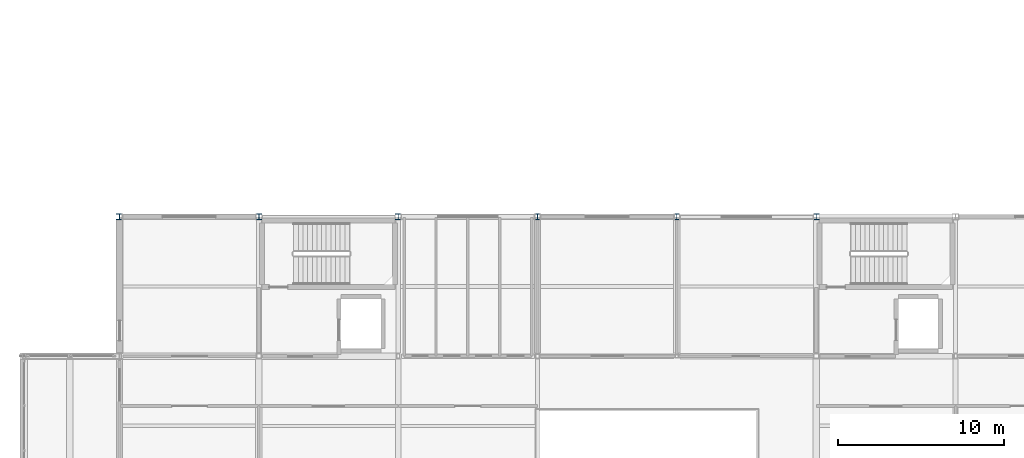
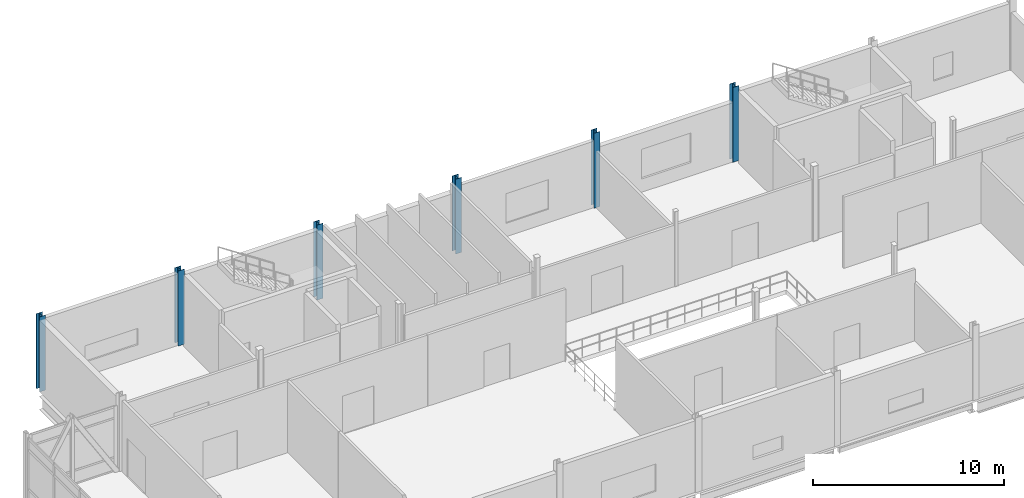
# One storey, part 3 of 45: 6 columns.
"""IFC4 building model written with IfcOpenShell, lengths in metres."""

from ifc_helpers import new_model, si_unit, direction, frame, origin, origin_2d, place, context, subcontext, project, spatial, i_section, extrude, material, material_profile, profile_set, type_object, element, save


model = new_model("IFC4")

# Units and contexts
model_context = context("Model", 3, precision=1e-05, world=origin(), true_north=direction((0.0, 1.0)))
body_context = subcontext(model_context, "Body", "Model", "MODEL_VIEW")
ifc_project = project(units=[si_unit("LENGTHUNIT", "METRE"), si_unit("AREAUNIT", "SQUARE_METRE"), si_unit("VOLUMEUNIT", "CUBIC_METRE"), si_unit("PLANEANGLEUNIT", "RADIAN"), si_unit("MASSUNIT", "GRAM", prefix="KILO")], contexts=[model_context])

# Site, building, storey
site_placement = place(None, origin())
site = spatial("IfcSite", under=ifc_project, at=site_placement, CompositionType="ELEMENT")
building_placement = place(site_placement, origin())
building = spatial("IfcBuilding", under=site, at=building_placement, Name="Calvrana Isthmian Art Gallery", CompositionType="ELEMENT")
storey_placement = place(building_placement, frame((0.0, 0.0, 19.800048828125)))
storey = spatial("IfcBuildingStorey", under=building, at=storey_placement, Name="L04", CompositionType="ELEMENT", Elevation=19.800048828125)

# Columns
ifc_material = material(Name="Steel ASTM A992 Gr 50", Category="steel")
ifc_material_profile_1 = material_profile(ifc_material, i_section(OverallWidth=0.37109375, OverallDepth=0.363037109375, WebThickness=0.01318359375, FlangeThickness=0.021728515625, FilletRadius=0.02490234375, at=origin_2d()), Name="W14X109")
ifc_profile_set_1 = profile_set([ifc_material_profile_1], Name="Steel ASTM A992 Gr 50")
column_type_1 = type_object("IfcColumnType", Name="COL-STL-W14X109", PredefinedType="COLUMN", material=ifc_profile_set_1)
column_1_placement = place(storey_placement, frame((46.800048828125, 46.800048828125, 0.0), z_axis=(0.0, 0.0, 1.0), x_axis=(1.0, 0.0, 0.0)))
element("IfcColumn", 1, at=column_1_placement, inside=storey, type_object=column_type_1, Name="Column 07/G L04", PredefinedType="COLUMN", context=body_context, shape_type="SweptSolid", body=[
    extrude(i_section(OverallWidth=0.37109375, OverallDepth=0.363037109375, WebThickness=0.01318359375, FlangeThickness=0.021728515625, FilletRadius=0.02490234375, at=origin_2d()), origin(), (0.0, 0.0, 1.0), 4.800048828125),
])
ifc_material_profile_2 = material_profile(ifc_material, i_section(OverallWidth=0.373046875, OverallDepth=0.367919921875, WebThickness=0.014892578125, FlangeThickness=0.02392578125, FilletRadius=0.02490234375, at=origin_2d()), Name="W14X120")
ifc_profile_set_2 = profile_set([ifc_material_profile_2], Name="Steel ASTM A992 Gr 50")
column_type_2 = type_object("IfcColumnType", Name="COL-STL-W14X120", PredefinedType="COLUMN", material=ifc_profile_set_2)
column_2_placement = place(storey_placement, frame((38.39990234375, 46.800048828125, 0.0), z_axis=(0.0, 0.0, 1.0), x_axis=(1.0, 0.0, 0.0)))
element("IfcColumn", 2, at=column_2_placement, inside=storey, type_object=column_type_2, Name="Column 06/G L04", PredefinedType="COLUMN", context=body_context, shape_type="SweptSolid", body=[
    extrude(i_section(OverallWidth=0.373046875, OverallDepth=0.367919921875, WebThickness=0.014892578125, FlangeThickness=0.02392578125, FilletRadius=0.02490234375, at=origin_2d()), origin(), (0.0, 0.0, 1.0), 4.800048828125),
])
ifc_material_profile_3 = material_profile(ifc_material, i_section(OverallWidth=0.373046875, OverallDepth=0.373046875, WebThickness=0.016357421875, FlangeThickness=0.026123046875, FilletRadius=0.02490234375, at=origin_2d()), Name="W14X132")
ifc_profile_set_3 = profile_set([ifc_material_profile_3], Name="Steel ASTM A992 Gr 50")
column_type_3 = type_object("IfcColumnType", Name="COL-STL-W14X132", PredefinedType="COLUMN", material=ifc_profile_set_3)
for number, where, z_axis, x_axis, name in (
    (3, (30.0, 46.800048828125, 0.0), (0.0, 0.0, 1.0), (1.0, 0.0, 0.0), "Column 05/G L04"),
    (4, (63.60009765625, 46.800048828125, 0.0), (0.0, 0.0, 1.0), (1.0, 0.0, 0.0), "Column 09/G L04"),
):
    element("IfcColumn", number, at=place(storey_placement, frame(where, z_axis=z_axis, x_axis=x_axis)), inside=storey, type_object=column_type_3, Name=name, PredefinedType="COLUMN", context=body_context, shape_type="SweptSolid", body=[
        extrude(i_section(OverallWidth=0.373046875, OverallDepth=0.373046875, WebThickness=0.016357421875, FlangeThickness=0.026123046875, FilletRadius=0.02490234375, at=origin_2d()), origin(), (0.0, 0.0, 1.0), 4.800048828125),
    ])
ifc_material_profile_4 = material_profile(ifc_material, i_section(OverallWidth=0.367919921875, OverallDepth=0.35595703125, WebThickness=0.01123046875, FlangeThickness=0.01806640625, FilletRadius=0.02490234375, at=origin_2d()), Name="W14X90")
ifc_profile_set_4 = profile_set([ifc_material_profile_4], Name="Steel ASTM A992 Gr 50")
column_type_4 = type_object("IfcColumnType", Name="COL-STL-W14X90", PredefinedType="COLUMN", material=ifc_profile_set_4)
for number, where, z_axis, x_axis, name in (
    (5, (21.60009765625, 46.800048828125, 0.0), (0.0, 0.0, 1.0), (1.0, 0.0, 0.0), "Column 04/G L04"),
    (6, (55.199951171875, 46.800048828125, 0.0), (0.0, 0.0, 1.0), (1.0, 0.0, 0.0), "Column 08/G L04"),
):
    element("IfcColumn", number, at=place(storey_placement, frame(where, z_axis=z_axis, x_axis=x_axis)), inside=storey, type_object=column_type_4, Name=name, PredefinedType="COLUMN", context=body_context, shape_type="SweptSolid", body=[
        extrude(i_section(OverallWidth=0.367919921875, OverallDepth=0.35595703125, WebThickness=0.01123046875, FlangeThickness=0.01806640625, FilletRadius=0.02490234375, at=origin_2d()), origin(), (0.0, 0.0, 1.0), 4.800048828125),
    ])

save(model, "model.ifc")
